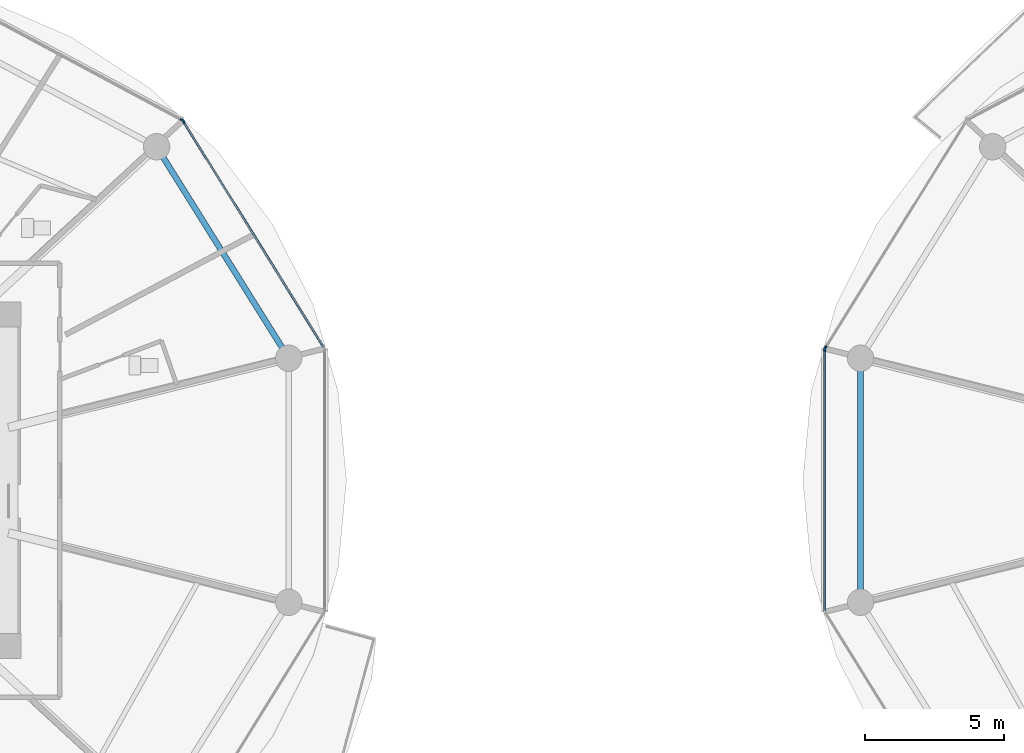
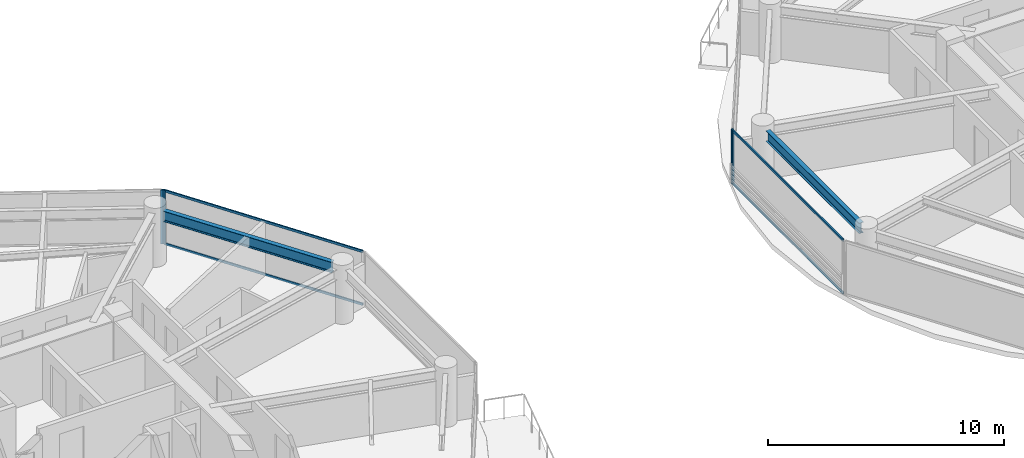
# One storey, part 7 of 27: 8 members, 2 beams, 4 elements without a shape of their own.
"""IFC4 building model written with IfcOpenShell, lengths in metres."""

from ifc_helpers import new_model, si_unit, direction, frame, origin, origin_2d, place, context, subcontext, project, spatial, rectangle, i_section, extrude, source, transform, mapped, material, layer, layer_set, material_profile, profile_set, type_object, type_shapes, element, aggregate, save


model = new_model("IFC4")

# Units and contexts
model_context = context("Model", 3, precision=1e-05, world=origin(), true_north=direction((0.0, 1.0)))
body_context = subcontext(model_context, "Body", "Model", "MODEL_VIEW")
ifc_project = project(units=[si_unit("LENGTHUNIT", "METRE"), si_unit("AREAUNIT", "SQUARE_METRE"), si_unit("VOLUMEUNIT", "CUBIC_METRE"), si_unit("PLANEANGLEUNIT", "RADIAN"), si_unit("MASSUNIT", "GRAM", prefix="KILO")], contexts=[model_context])

# Site, building, storey
site_placement = place(None, origin())
site = spatial("IfcSite", under=ifc_project, at=site_placement, CompositionType="ELEMENT")
building_placement = place(site_placement, origin())
building = spatial("IfcBuilding", under=site, at=building_placement, Name="Norrkilde Senior Care Towers", CompositionType="ELEMENT")
storey_placement = place(building_placement, frame((0.0, 0.0, 52.10009765625)))
storey = spatial("IfcBuildingStorey", under=building, at=storey_placement, Name="L15", CompositionType="ELEMENT", Elevation=52.10009765625)

# Beams
ifc_material_1 = material(Name="Steel S355", Category="steel")
ifc_material_profile_1 = material_profile(ifc_material_1, i_section(OverallWidth=0.2099609375, OverallDepth=0.550048828125, WebThickness=0.010986328125, FlangeThickness=0.01708984375, FilletRadius=0.02392578125, at=origin_2d()), Name="IPE 550")
ifc_profile_set_1 = profile_set([ifc_material_profile_1], Name="Steel S355")
beam_type = type_object("IfcBeamType", Name="Perimeter Ring Spandrel Z1 IPE550", PredefinedType="SPANDREL", material=ifc_profile_set_1)
shared_shape_1 = source(origin(), body_context, "Body", "SweptSolid", [
    extrude(i_section(OverallWidth=0.2099609375, OverallDepth=0.550048828125, WebThickness=0.010986328125, FlangeThickness=0.01708984375, FilletRadius=0.02392578125, at=origin_2d()), origin(), (0.0, 0.0, 1.0), 8.090576171875),
])
beam_1_placement = place(storey_placement, frame((-10.505859375, 4.755859375, 2.514892578125), z_axis=(-0.530004364821, 0.84799491347, 0.0), x_axis=(-0.84799491347, -0.530004364821, 0.0)))
element("IfcBeam", 1, at=beam_1_placement, inside=storey, type_object=beam_type, Name="L15 Drum W Perimeter Spandrel 01", PredefinedType="SPANDREL", context=body_context, shape_type="MappedRepresentation", body=[
    mapped(shared_shape_1, transform((0.0, 0.0, 0.0), x_axis=(1.0, 0.0, 0.0), y_axis=(0.0, 1.0, 0.0), z_axis=(0.0, 0.0, 1.0), scale=1.0)),
])
shared_shape_2 = source(origin(), body_context, "Body", "SweptSolid", [
    extrude(i_section(OverallWidth=0.2099609375, OverallDepth=0.550048828125, WebThickness=0.010986328125, FlangeThickness=0.01708984375, FilletRadius=0.02392578125, at=origin_2d()), origin(), (0.0, 0.0, 1.0), 7.90380859375),
])
type_shapes(beam_type, [shared_shape_1, shared_shape_2])
beam_2_placement = place(storey_placement, frame((10.275146484375, 3.951904296875, 2.514892578125), z_axis=(0.0, -1.0, 0.0), x_axis=(1.0, 0.0, 0.0)))
element("IfcBeam", 2, at=beam_2_placement, inside=storey, type_object=beam_type, Name="L15 Drum E Perimeter Spandrel 06", PredefinedType="SPANDREL", context=body_context, shape_type="MappedRepresentation", body=[
    mapped(shared_shape_2, transform((0.0, 0.0, 0.0), x_axis=(1.0, 0.0, 0.0), y_axis=(0.0, 1.0, 0.0), z_axis=(0.0, 0.0, 1.0), scale=1.0)),
])

# Curtain wall, member
ifc_material_2 = material(Name="Triple Low-E Insulated Glazing", Category="glass")
ifc_layer = layer(ifc_material_2, 0.199951171875)
ifc_layer_set = layer_set([ifc_layer], Name="Triple Low-E Insulated Glazing")
curtain_wall_type = type_object("IfcCurtainWallType", Name="CW2 Zone 1 Memory Care Curtain Wall", PredefinedType="NOTDEFINED", material=ifc_layer_set)
curtain_wall_1_placement = place(storey_placement, origin())
curtain_wall_1 = element("IfcCurtainWall", 3, at=curtain_wall_1_placement, inside=storey, type_object=curtain_wall_type, Name="L15 Drum W Curtain Wall 00", PredefinedType="NOTDEFINED")
ifc_material_3 = material(Name="Anodised Aluminium", Category="aluminium")
ifc_material_profile_2 = material_profile(ifc_material_3, rectangle(XDim=0.06494140625, YDim=0.159912109375, at=origin_2d()), Name="ALU MULL 65x160")
ifc_profile_set_2 = profile_set([ifc_material_profile_2], Name="Anodised Aluminium")
member_type_1 = type_object("IfcMemberType", Name="Curtain Wall Mullion Z1-Z2 65x160", PredefinedType="MULLION", material=ifc_profile_set_2)
shared_shape_3 = source(origin(), body_context, "Body", "SweptSolid", [
    extrude(rectangle(XDim=0.06494140625, YDim=0.159912109375, at=origin_2d()), origin(), (0.0, 0.0, 1.0), 2.789794921875),
])
type_shapes(member_type_1, [shared_shape_3])
member_1_placement = place(storey_placement, frame((-14.06689453125, 12.898193359375, 0.0), z_axis=(0.0, 0.0, 1.0), x_axis=(0.849305943117, 0.527900951871, 0.0)))
member_1 = element("IfcMember", 4, at=member_1_placement, type_object=member_type_1, Name="CW-2 mullion 1", PredefinedType="MULLION", context=body_context, shape_type="MappedRepresentation", body=[
    mapped(shared_shape_3, transform((0.0, 0.0, 0.0), x_axis=(1.0, 0.0, 0.0), y_axis=(0.0, 1.0, 0.0), z_axis=(0.0, 0.0, 1.0), scale=1.0)),
])

curtain_wall_2_placement = place(storey_placement, origin())
curtain_wall_2 = element("IfcCurtainWall", 5, at=curtain_wall_2_placement, inside=storey, type_object=curtain_wall_type, Name="L15 Drum W Curtain Wall 01", PredefinedType="NOTDEFINED")
member_2_placement = place(storey_placement, frame((-14.11279296875, 12.941162109375, 0.0), z_axis=(0.0, 0.0, 1.0), x_axis=(0.472607802456, 0.881272866403, 0.0)))
member_2 = element("IfcMember", 6, at=member_2_placement, type_object=member_type_1, Name="CW-2 mullion 2", PredefinedType="MULLION", context=body_context, shape_type="MappedRepresentation", body=[
    mapped(shared_shape_3, transform((0.0, 0.0, 0.0), x_axis=(1.0, 0.0, 0.0), y_axis=(0.0, 1.0, 0.0), z_axis=(0.0, 0.0, 1.0), scale=1.0)),
])
aggregate(curtain_wall_2, [member_2])

curtain_wall_3_placement = place(storey_placement, origin())
curtain_wall_3 = element("IfcCurtainWall", 7, at=curtain_wall_3_placement, inside=storey, type_object=curtain_wall_type, Name="L15 Drum E Curtain Wall 04", PredefinedType="NOTDEFINED")
member_3_placement = place(storey_placement, frame((9.0078125, 4.7587890625, 0.0), z_axis=(0.0, 0.0, 1.0), x_axis=(-0.849305943117, 0.527900951871, 0.0)))
member_3 = element("IfcMember", 8, at=member_3_placement, type_object=member_type_1, Name="CW-2 mullion 1", PredefinedType="MULLION", context=body_context, shape_type="MappedRepresentation", body=[
    mapped(shared_shape_3, transform((0.0, 0.0, 0.0), x_axis=(1.0, 0.0, 0.0), y_axis=(0.0, 1.0, 0.0), z_axis=(0.0, 0.0, 1.0), scale=1.0)),
])
aggregate(curtain_wall_3, [member_3])

curtain_wall_4_placement = place(storey_placement, origin())
curtain_wall_4 = element("IfcCurtainWall", 9, at=curtain_wall_4_placement, inside=storey, type_object=curtain_wall_type, Name="L15 Drum E Curtain Wall 05", PredefinedType="NOTDEFINED")
member_4_placement = place(storey_placement, frame((8.990478515625, 4.69873046875, 0.0), z_axis=(0.0, 0.0, 1.0), x_axis=(-1.0, 0.0, 0.0)))
member_4 = element("IfcMember", 10, at=member_4_placement, type_object=member_type_1, Name="CW-2 mullion 2", PredefinedType="MULLION", context=body_context, shape_type="MappedRepresentation", body=[
    mapped(shared_shape_3, transform((0.0, 0.0, 0.0), x_axis=(1.0, 0.0, 0.0), y_axis=(0.0, 1.0, 0.0), z_axis=(0.0, 0.0, 1.0), scale=1.0)),
])

# Member
ifc_material_profile_3 = material_profile(ifc_material_3, rectangle(XDim=0.06005859375, YDim=0.1201171875, at=origin_2d()), Name="ALU TRAN 60x120")
ifc_profile_set_3 = profile_set([ifc_material_profile_3], Name="Anodised Aluminium")
member_type_2 = type_object("IfcMemberType", Name="Curtain Wall Transom Typical 60x120", PredefinedType="USERDEFINED", material=ifc_profile_set_3)
shared_shape_4 = source(origin(), body_context, "Body", "SweptSolid", [
    extrude(rectangle(XDim=0.06005859375, YDim=0.1201171875, at=origin_2d()), origin(), (0.0, 0.0, 1.0), 9.5185546875),
])
member_5_placement = place(storey_placement, frame((-14.0498046875, 12.87060546875, 0.02978515625), z_axis=(0.527901620669, -0.849305527413, 0.0), x_axis=(0.849305527413, 0.527901620669, 0.0)))
member_5 = element("IfcMember", 11, at=member_5_placement, type_object=member_type_2, Name="CW-2 transom 1.1", ObjectType="TRANSOM", PredefinedType="USERDEFINED", context=body_context, shape_type="MappedRepresentation", body=[
    mapped(shared_shape_4, transform((0.0, 0.0, 0.0), x_axis=(1.0, 0.0, 0.0), y_axis=(0.0, 1.0, 0.0), z_axis=(0.0, 0.0, 1.0), scale=1.0)),
])

member_6_placement = place(storey_placement, frame((-14.0498046875, 12.87060546875, 2.760009765625), z_axis=(0.527901620669, -0.849305527413, 0.0), x_axis=(0.849305527413, 0.527901620669, 0.0)))
member_6 = element("IfcMember", 12, at=member_6_placement, type_object=member_type_2, Name="CW-2 transom 1.2", ObjectType="TRANSOM", PredefinedType="USERDEFINED", context=body_context, shape_type="MappedRepresentation", body=[
    mapped(shared_shape_4, transform((0.0, 0.0, 0.0), x_axis=(1.0, 0.0, 0.0), y_axis=(0.0, 1.0, 0.0), z_axis=(0.0, 0.0, 1.0), scale=1.0)),
])

aggregate(curtain_wall_1, [member_1, member_5, member_6])

shared_shape_5 = source(origin(), body_context, "Body", "SweptSolid", [
    extrude(rectangle(XDim=0.06005859375, YDim=0.1201171875, at=origin_2d()), origin(), (0.0, 0.0, 1.0), 9.33251953125),
])
type_shapes(member_type_2, [shared_shape_4, shared_shape_5])
member_7_placement = place(storey_placement, frame((8.990478515625, -4.666259765625, 0.02978515625), z_axis=(0.0, 1.0, 0.0), x_axis=(-1.0, 0.0, 0.0)))
member_7 = element("IfcMember", 13, at=member_7_placement, type_object=member_type_2, Name="CW-2 transom 1.1", ObjectType="TRANSOM", PredefinedType="USERDEFINED", context=body_context, shape_type="MappedRepresentation", body=[
    mapped(shared_shape_5, transform((0.0, 0.0, 0.0), x_axis=(1.0, 0.0, 0.0), y_axis=(0.0, 1.0, 0.0), z_axis=(0.0, 0.0, 1.0), scale=1.0)),
])

member_8_placement = place(storey_placement, frame((8.990478515625, -4.666259765625, 2.760009765625), z_axis=(0.0, 1.0, 0.0), x_axis=(-1.0, 0.0, 0.0)))
member_8 = element("IfcMember", 14, at=member_8_placement, type_object=member_type_2, Name="CW-2 transom 1.2", ObjectType="TRANSOM", PredefinedType="USERDEFINED", context=body_context, shape_type="MappedRepresentation", body=[
    mapped(shared_shape_5, transform((0.0, 0.0, 0.0), x_axis=(1.0, 0.0, 0.0), y_axis=(0.0, 1.0, 0.0), z_axis=(0.0, 0.0, 1.0), scale=1.0)),
])

aggregate(curtain_wall_4, [member_4, member_7, member_8])

save(model, "model.ifc")
